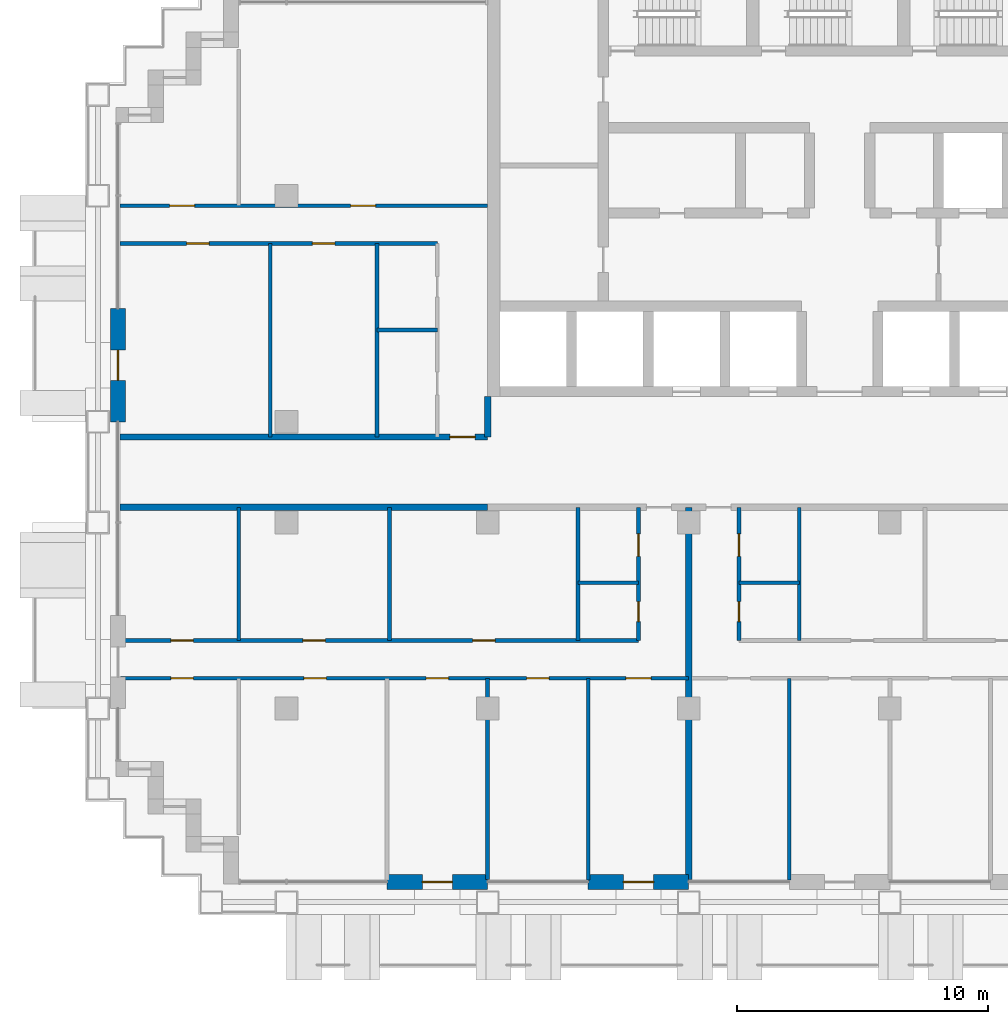
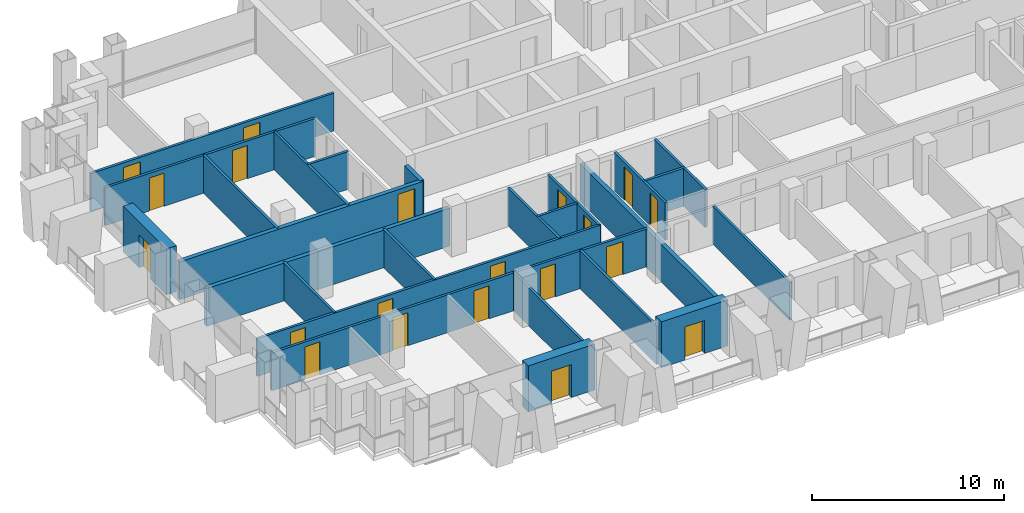
# One storey, part 9 of 19: 25 walls, 20 doors, 20 openings.
"""IFC4 building model written with IfcOpenShell, lengths in metres."""

from ifc_helpers import new_model, si_unit, direction, frame, frame_2d, origin, place, context, subcontext, project, spatial, rectangle, extrude, material, layer, layer_set, type_object, element, fill, save


model = new_model("IFC4")

# Units and contexts
model_context = context("Model", 3, precision=1e-05, world=origin(), true_north=direction((0.0, 1.0)))
body_context = subcontext(model_context, "Body", "Model", "MODEL_VIEW")
ifc_project = project(units=[si_unit("LENGTHUNIT", "METRE"), si_unit("AREAUNIT", "SQUARE_METRE"), si_unit("VOLUMEUNIT", "CUBIC_METRE"), si_unit("PLANEANGLEUNIT", "RADIAN"), si_unit("MASSUNIT", "GRAM", prefix="KILO")], contexts=[model_context])

# Site, building, storey
site_placement = place(None, origin())
site = spatial("IfcSite", under=ifc_project, at=site_placement, CompositionType="ELEMENT")
building_placement = place(site_placement, origin())
building = spatial("IfcBuilding", under=site, at=building_placement, Name="Vidyagriha Tower", CompositionType="ELEMENT")
storey_placement = place(building_placement, frame((0.0, 0.0, 99.89990234375)))
storey = spatial("IfcBuildingStorey", under=building, at=storey_placement, Name="L26", CompositionType="ELEMENT", Elevation=99.89990234375)

# Wall, opening, door
ifc_material_1 = material(Name="Precast concrete C40/50 with brick facing", Category="concrete")
ifc_layer_1 = layer(ifc_material_1, 0.60009765625)
ifc_layer_set_1 = layer_set([ifc_layer_1], Name="Precast concrete C40/50 with brick facing")
wall_type_1 = type_object("IfcWallType", Name="Brick-faced precast wall 600", PredefinedType="STANDARD", material=ifc_layer_set_1)
wall_1_placement = place(storey_placement, frame((-28.699951171875, 6.5, 0.0), z_axis=(0.0, 0.0, 1.0), x_axis=(0.0, -1.0, 0.0)))
wall_1 = element("IfcWall", 1, at=wall_1_placement, inside=storey, type_object=wall_type_1, Name="Brick door bay wall L26 R16.3", PredefinedType="STANDARD", context=body_context, shape_type="SweptSolid", body=[
    extrude(rectangle(XDim=4.5, YDim=0.60009765625, at=frame_2d((2.25, 0.0))), origin(), (0.0, 0.0, 1.0), 2.920166015625),
])
opening_1_placement = place(wall_1_placement, frame((1.64990234375, 0.0, 0.0)))
opening_1 = element("IfcOpeningElement", 2, at=opening_1_placement, cuts=wall_1, Name="Opening D26-68", PredefinedType="OPENING", context=body_context, shape_type="SweptSolid", body=[
    extrude(rectangle(XDim=1.199951171875, YDim=2.10009765625, at=frame_2d((0.60009765625, 1.050048828125))), frame((0.0, 0.31005859375, 0.0), z_axis=(0.0, -1.0, 0.0), x_axis=(1.0, 0.0, 0.0)), (0.0, 0.0, 1.0), 0.6201171875),
])
ifc_material_2 = material(Name="Aluminium framed glazed sliding door", Category="aluminium")
door_type_1 = type_object("IfcDoorType", Name="Balcony sliding door 1200x2100", OperationType="NOTDEFINED", PredefinedType="DOOR", material=ifc_material_2)
door_1_placement = place(opening_1_placement, origin())
door_1 = element("IfcDoor", 3, at=door_1_placement, inside=storey, type_object=door_type_1, Name="Door D26-68", OperationType="SLIDING_TO_LEFT", OverallHeight=2.10009765625, OverallWidth=1.199951171875, PredefinedType="DOOR", context=body_context, shape_type="SweptSolid", body=[
    extrude(rectangle(XDim=1.199951171875, YDim=2.10009765625, at=frame_2d((0.60009765625, 1.050048828125))), frame((0.0, 0.02490234375, 0.0), z_axis=(0.0, -1.0, 0.0), x_axis=(1.0, 0.0, 0.0)), (0.0, 0.0, 1.0), 0.050048828125),
])
fill(opening_1, door_1)

wall_2_placement = place(storey_placement, frame((-18.0, -16.300048828125, 0.0)))
wall_2 = element("IfcWall", 4, at=wall_2_placement, inside=storey, type_object=wall_type_1, Name="Brick door bay wall L26 R23.3", PredefinedType="STANDARD", context=body_context, shape_type="SweptSolid", body=[
    extrude(rectangle(XDim=4.0, YDim=0.60009765625, at=frame_2d((2.0, 0.0))), origin(), (0.0, 0.0, 1.0), 2.920166015625),
])
opening_2_placement = place(wall_2_placement, frame((1.39990234375, 0.0, 0.0)))
opening_2 = element("IfcOpeningElement", 5, at=opening_2_placement, cuts=wall_2, Name="Opening D26-70", PredefinedType="OPENING", context=body_context, shape_type="SweptSolid", body=[
    extrude(rectangle(XDim=1.199951171875, YDim=2.10009765625, at=frame_2d((0.60009765625, 1.050048828125))), frame((0.0, 0.31005859375, 0.0), z_axis=(0.0, -1.0, 0.0), x_axis=(1.0, 0.0, 0.0)), (0.0, 0.0, 1.0), 0.6201171875),
])
door_2_placement = place(opening_2_placement, origin())
door_2 = element("IfcDoor", 6, at=door_2_placement, inside=storey, type_object=door_type_1, Name="Door D26-70", OperationType="SLIDING_TO_LEFT", OverallHeight=2.10009765625, OverallWidth=1.199951171875, PredefinedType="DOOR", context=body_context, shape_type="SweptSolid", body=[
    extrude(rectangle(XDim=1.199951171875, YDim=2.10009765625, at=frame_2d((0.60009765625, 1.050048828125))), frame((0.0, 0.02490234375, 0.0), z_axis=(0.0, -1.0, 0.0), x_axis=(1.0, 0.0, 0.0)), (0.0, 0.0, 1.0), 0.050048828125),
])
fill(opening_2, door_2)

wall_3_placement = place(storey_placement, frame((-10.0, -16.300048828125, 0.0)))
wall_3 = element("IfcWall", 7, at=wall_3_placement, inside=storey, type_object=wall_type_1, Name="Brick door bay wall L26 R23.5", PredefinedType="STANDARD", context=body_context, shape_type="SweptSolid", body=[
    extrude(rectangle(XDim=4.0, YDim=0.60009765625, at=frame_2d((2.0, 0.0))), origin(), (0.0, 0.0, 1.0), 2.920166015625),
])
opening_3_placement = place(wall_3_placement, frame((1.39990234375, 0.0, 0.0)))
opening_3 = element("IfcOpeningElement", 8, at=opening_3_placement, cuts=wall_3, Name="Opening D26-71", PredefinedType="OPENING", context=body_context, shape_type="SweptSolid", body=[
    extrude(rectangle(XDim=1.199951171875, YDim=2.10009765625, at=frame_2d((0.60009765625, 1.050048828125))), frame((0.0, 0.31005859375, 0.0), z_axis=(0.0, -1.0, 0.0), x_axis=(1.0, 0.0, 0.0)), (0.0, 0.0, 1.0), 0.6201171875),
])
door_3_placement = place(opening_3_placement, origin())
door_3 = element("IfcDoor", 9, at=door_3_placement, inside=storey, type_object=door_type_1, Name="Door D26-71", OperationType="SLIDING_TO_LEFT", OverallHeight=2.10009765625, OverallWidth=1.199951171875, PredefinedType="DOOR", context=body_context, shape_type="SweptSolid", body=[
    extrude(rectangle(XDim=1.199951171875, YDim=2.10009765625, at=frame_2d((0.60009765625, 1.050048828125))), frame((0.0, 0.02490234375, 0.0), z_axis=(0.0, -1.0, 0.0), x_axis=(1.0, 0.0, 0.0)), (0.0, 0.0, 1.0), 0.050048828125),
])
fill(opening_3, door_3)

# Wall
ifc_material_3 = material(Name="Fired clay brick masonry", Category="masonry")
ifc_layer_2 = layer(ifc_material_3, 0.25)
ifc_layer_set_2 = layer_set([ifc_layer_2], Name="Fired clay brick masonry")
wall_type_2 = type_object("IfcWallType", Name="Fired clay brick corridor wall 250", PredefinedType="PARTITIONING", material=ifc_layer_set_2)
wall_4_placement = place(storey_placement, frame((-14.0, -1.39990234375, 0.0), z_axis=(0.0, 0.0, 1.0), x_axis=(-1.0, 0.0, 0.0)))
element("IfcWall", 10, at=wall_4_placement, inside=storey, type_object=wall_type_2, Name="Wall all-L26-w067", PredefinedType="PARTITIONING", context=body_context, shape_type="SweptSolid", body=[
    extrude(rectangle(XDim=14.6201171875, YDim=0.25, at=frame_2d((7.31005859375, 0.0))), origin(), (0.0, 0.0, 1.0), 2.400146484375),
])

# Wall, opening, door
wall_5_placement = place(storey_placement, frame((-28.6201171875, 1.39990234375, 0.0)))
wall_5 = element("IfcWall", 11, at=wall_5_placement, inside=storey, type_object=wall_type_2, Name="Wall all-L26-w084", PredefinedType="PARTITIONING", context=body_context, shape_type="SweptSolid", body=[
    extrude(rectangle(XDim=14.6201171875, YDim=0.25, at=frame_2d((7.31005859375, 0.0))), origin(), (0.0, 0.0, 1.0), 2.400146484375),
])
opening_4_placement = place(wall_5_placement, frame((13.1201171875, 0.0, 0.0)))
opening_4 = element("IfcOpeningElement", 12, at=opening_4_placement, cuts=wall_5, Name="Opening D26-52", PredefinedType="OPENING", context=body_context, shape_type="SweptSolid", body=[
    extrude(rectangle(XDim=1.0, YDim=2.10009765625, at=frame_2d((0.5, 1.050048828125))), frame((0.0, 0.135009765625, 0.0), z_axis=(0.0, -1.0, 0.0), x_axis=(1.0, 0.0, 0.0)), (0.0, 0.0, 1.0), 0.27001953125),
])
ifc_material_4 = material(Name="Fire-rated timber door leaf EI 60", Category="wood")
door_type_2 = type_object("IfcDoorType", Name="Flat entrance fire door 1000x2100", OperationType="NOTDEFINED", PredefinedType="DOOR", material=ifc_material_4)
door_4_placement = place(opening_4_placement, origin())
door_4 = element("IfcDoor", 13, at=door_4_placement, inside=storey, type_object=door_type_2, Name="Door D26-52", OperationType="SINGLE_SWING_RIGHT", OverallHeight=2.10009765625, OverallWidth=1.0, PredefinedType="DOOR", context=body_context, shape_type="SweptSolid", body=[
    extrude(rectangle(XDim=1.0, YDim=2.10009765625, at=frame_2d((0.5, 1.050048828125))), frame((0.0, 0.02490234375, 0.0), z_axis=(0.0, -1.0, 0.0), x_axis=(1.0, 0.0, 0.0)), (0.0, 0.0, 1.0), 0.050048828125),
])
fill(opening_4, door_4)

# Walls
wall_6_placement = place(storey_placement, frame((-14.0, 3.0, 0.0), z_axis=(0.0, 0.0, 1.0), x_axis=(0.0, -1.0, 0.0)))
element("IfcWall", 14, at=wall_6_placement, inside=storey, type_object=wall_type_2, Name="Wall all-L26-w119", PredefinedType="PARTITIONING", context=body_context, shape_type="SweptSolid", body=[
    extrude(rectangle(XDim=1.60009765625, YDim=0.25, at=frame_2d((0.800048828125, 0.0))), origin(), (0.0, 0.0, 1.0), 2.400146484375),
])
ifc_material_5 = material(Name="Fired clay brick masonry", Category="masonry")
ifc_layer_3 = layer(ifc_material_5, 0.25)
ifc_layer_set_3 = layer_set([ifc_layer_3], Name="Fired clay brick masonry")
wall_type_3 = type_object("IfcWallType", Name="Fired clay brick demising wall 250", PredefinedType="PARTITIONING", material=ifc_layer_set_3)
wall_7_placement = place(storey_placement, frame((-6.0, -1.39990234375, 0.0), z_axis=(0.0, 0.0, 1.0), x_axis=(0.0, -1.0, 0.0)))
element("IfcWall", 15, at=wall_7_placement, inside=storey, type_object=wall_type_3, Name="Wall all-L26-w045", PredefinedType="PARTITIONING", context=body_context, shape_type="SweptSolid", body=[
    extrude(rectangle(XDim=14.81005859375, YDim=0.25, at=frame_2d((7.405029296875, 0.0))), origin(), (0.0, 0.0, 1.0), 2.400146484375),
])
ifc_material_6 = material(Name="Gypsum board partition")
ifc_layer_4 = layer(ifc_material_6, 0.14990234375)
ifc_layer_set_4 = layer_set([ifc_layer_4], Name="Gypsum board partition")
wall_type_4 = type_object("IfcWallType", Name="Gypsum board partition 150", PredefinedType="PARTITIONING", material=ifc_layer_set_4)
wall_8_placement = place(storey_placement, frame((-8.0, -4.39990234375, 0.0), z_axis=(0.0, 0.0, 1.0), x_axis=(-1.0, 0.0, 0.0)))
element("IfcWall", 16, at=wall_8_placement, inside=storey, type_object=wall_type_4, Name="Wall all-L26-w004", PredefinedType="PARTITIONING", context=body_context, shape_type="SweptSolid", body=[
    extrude(rectangle(XDim=2.39990234375, YDim=0.14990234375, at=frame_2d((1.199951171875, 0.0))), origin(), (0.0, 0.0, 1.0), 2.400146484375),
])
for number, where, z_axis, x_axis, name in (
    (17, (-10.39990234375, -6.699951171875, 0.0), (0.0, 0.0, 1.0), (0.0, 1.0, 0.0), "Wall all-L26-w005"),
    (18, (-17.89990234375, -6.699951171875, 0.0), (0.0, 0.0, 1.0), (0.0, 1.0, 0.0), "Wall all-L26-w006"),
    (19, (-23.89990234375, -6.699951171875, 0.0), (0.0, 0.0, 1.0), (0.0, 1.0, 0.0), "Wall all-L26-w007"),
):
    element("IfcWall", number, at=place(storey_placement, frame(where, z_axis=z_axis, x_axis=x_axis)), inside=storey, type_object=wall_type_4, Name=name, PredefinedType="PARTITIONING", context=body_context, shape_type="SweptSolid", body=[
        extrude(rectangle(XDim=5.300048828125, YDim=0.14990234375, at=frame_2d((2.64990234375, 0.0))), origin(), (0.0, 0.0, 1.0), 2.400146484375),
    ])

# Wall, openings, doors
wall_9_placement = place(storey_placement, frame((-28.610107421875, -6.699951171875, 0.0)))
wall_9 = element("IfcWall", 20, at=wall_9_placement, inside=storey, type_object=wall_type_4, Name="Wall all-L26-w008", PredefinedType="PARTITIONING", context=body_context, shape_type="SweptSolid", body=[
    extrude(rectangle(XDim=20.610107421875, YDim=0.14990234375, at=frame_2d((10.30517578125, 0.0))), origin(), (0.0, 0.0, 1.0), 2.400146484375),
])
opening_5_placement = place(wall_9_placement, frame((14.010009765625, 0.0, 0.0)))
opening_5 = element("IfcOpeningElement", 21, at=opening_5_placement, cuts=wall_9, Name="Opening D26-16", PredefinedType="OPENING", context=body_context, shape_type="SweptSolid", body=[
    extrude(rectangle(XDim=0.89990234375, YDim=2.10009765625, at=frame_2d((0.449951171875, 1.050048828125))), frame((0.0, 0.0849609375, 0.0), z_axis=(0.0, -1.0, 0.0), x_axis=(1.0, 0.0, 0.0)), (0.0, 0.0, 1.0), 0.169921875),
])
opening_6_placement = place(wall_9_placement, frame((7.260009765625, 0.0, 0.0)))
opening_6 = element("IfcOpeningElement", 22, at=opening_6_placement, cuts=wall_9, Name="Opening D26-17", PredefinedType="OPENING", context=body_context, shape_type="SweptSolid", body=[
    extrude(rectangle(XDim=0.89990234375, YDim=2.10009765625, at=frame_2d((0.449951171875, 1.050048828125))), frame((0.0, 0.0849609375, 0.0), z_axis=(0.0, -1.0, 0.0), x_axis=(1.0, 0.0, 0.0)), (0.0, 0.0, 1.0), 0.169921875),
])
opening_7_placement = place(wall_9_placement, frame((2.010009765625, 0.0, 0.0)))
opening_7 = element("IfcOpeningElement", 23, at=opening_7_placement, cuts=wall_9, Name="Opening D26-18", PredefinedType="OPENING", context=body_context, shape_type="SweptSolid", body=[
    extrude(rectangle(XDim=0.89990234375, YDim=2.10009765625, at=frame_2d((0.449951171875, 1.050048828125))), frame((0.0, 0.0849609375, 0.0), z_axis=(0.0, -1.0, 0.0), x_axis=(1.0, 0.0, 0.0)), (0.0, 0.0, 1.0), 0.169921875),
])
ifc_material_7 = material(Name="Timber door leaf", Category="wood")
door_type_3 = type_object("IfcDoorType", Name="Room door 900x2100", OperationType="NOTDEFINED", PredefinedType="DOOR", material=ifc_material_7)
door_5_placement = place(opening_5_placement, origin())
door_5 = element("IfcDoor", 24, at=door_5_placement, inside=storey, type_object=door_type_3, Name="Door D26-16", OperationType="SINGLE_SWING_LEFT", OverallHeight=2.10009765625, OverallWidth=0.89990234375, PredefinedType="DOOR", context=body_context, shape_type="SweptSolid", body=[
    extrude(rectangle(XDim=0.89990234375, YDim=2.10009765625, at=frame_2d((0.449951171875, 1.050048828125))), frame((0.0, 0.02490234375, 0.0), z_axis=(0.0, -1.0, 0.0), x_axis=(1.0, 0.0, 0.0)), (0.0, 0.0, 1.0), 0.050048828125),
])
fill(opening_5, door_5)
door_6_placement = place(opening_6_placement, origin())
door_6 = element("IfcDoor", 25, at=door_6_placement, inside=storey, type_object=door_type_3, Name="Door D26-17", OperationType="SINGLE_SWING_RIGHT", OverallHeight=2.10009765625, OverallWidth=0.89990234375, PredefinedType="DOOR", context=body_context, shape_type="SweptSolid", body=[
    extrude(rectangle(XDim=0.89990234375, YDim=2.10009765625, at=frame_2d((0.449951171875, 1.050048828125))), frame((0.0, 0.02490234375, 0.0), z_axis=(0.0, -1.0, 0.0), x_axis=(1.0, 0.0, 0.0)), (0.0, 0.0, 1.0), 0.050048828125),
])
fill(opening_6, door_6)
door_7_placement = place(opening_7_placement, origin())
door_7 = element("IfcDoor", 26, at=door_7_placement, inside=storey, type_object=door_type_3, Name="Door D26-18", OperationType="SINGLE_SWING_RIGHT", OverallHeight=2.10009765625, OverallWidth=0.89990234375, PredefinedType="DOOR", context=body_context, shape_type="SweptSolid", body=[
    extrude(rectangle(XDim=0.89990234375, YDim=2.10009765625, at=frame_2d((0.449951171875, 1.050048828125))), frame((0.0, 0.02490234375, 0.0), z_axis=(0.0, -1.0, 0.0), x_axis=(1.0, 0.0, 0.0)), (0.0, 0.0, 1.0), 0.050048828125),
])
fill(opening_7, door_7)

wall_10_placement = place(storey_placement, frame((-6.0, -8.199951171875, 0.0), z_axis=(0.0, 0.0, 1.0), x_axis=(-1.0, 0.0, 0.0)))
wall_10 = element("IfcWall", 27, at=wall_10_placement, inside=storey, type_object=wall_type_4, Name="Wall all-L26-w012", PredefinedType="PARTITIONING", context=body_context, shape_type="SweptSolid", body=[
    extrude(rectangle(XDim=22.610107421875, YDim=0.14990234375, at=frame_2d((11.30517578125, 0.0))), origin(), (0.0, 0.0, 1.0), 2.400146484375),
])
opening_8_placement = place(wall_10_placement, frame((19.699951171875, 0.0, 0.0)))
opening_8 = element("IfcOpeningElement", 28, at=opening_8_placement, cuts=wall_10, Name="Opening D26-19", PredefinedType="OPENING", context=body_context, shape_type="SweptSolid", body=[
    extrude(rectangle(XDim=0.89990234375, YDim=2.10009765625, at=frame_2d((0.449951171875, 1.050048828125))), frame((0.0, 0.0849609375, 0.0), z_axis=(0.0, -1.0, 0.0), x_axis=(1.0, 0.0, 0.0)), (0.0, 0.0, 1.0), 0.169921875),
])
opening_9_placement = place(wall_10_placement, frame((14.410888671875, 0.0, 0.0)))
opening_9 = element("IfcOpeningElement", 29, at=opening_9_placement, cuts=wall_10, Name="Opening D26-20", PredefinedType="OPENING", context=body_context, shape_type="SweptSolid", body=[
    extrude(rectangle(XDim=0.89990234375, YDim=2.10009765625, at=frame_2d((0.449951171875, 1.050048828125))), frame((0.0, 0.0849609375, 0.0), z_axis=(0.0, -1.0, 0.0), x_axis=(1.0, 0.0, 0.0)), (0.0, 0.0, 1.0), 0.169921875),
])
opening_10_placement = place(wall_10_placement, frame((9.550048828125, 0.0, 0.0)))
opening_10 = element("IfcOpeningElement", 30, at=opening_10_placement, cuts=wall_10, Name="Opening D26-21", PredefinedType="OPENING", context=body_context, shape_type="SweptSolid", body=[
    extrude(rectangle(XDim=0.89990234375, YDim=2.10009765625, at=frame_2d((0.449951171875, 1.050048828125))), frame((0.0, 0.0849609375, 0.0), z_axis=(0.0, -1.0, 0.0), x_axis=(1.0, 0.0, 0.0)), (0.0, 0.0, 1.0), 0.169921875),
])
opening_11_placement = place(wall_10_placement, frame((5.550048828125, 0.0, 0.0)))
opening_11 = element("IfcOpeningElement", 31, at=opening_11_placement, cuts=wall_10, Name="Opening D26-22", PredefinedType="OPENING", context=body_context, shape_type="SweptSolid", body=[
    extrude(rectangle(XDim=0.89990234375, YDim=2.10009765625, at=frame_2d((0.449951171875, 1.050048828125))), frame((0.0, 0.0849609375, 0.0), z_axis=(0.0, -1.0, 0.0), x_axis=(1.0, 0.0, 0.0)), (0.0, 0.0, 1.0), 0.169921875),
])
opening_12_placement = place(wall_10_placement, frame((1.5, 0.0, 0.0)))
opening_12 = element("IfcOpeningElement", 32, at=opening_12_placement, cuts=wall_10, Name="Opening D26-23", PredefinedType="OPENING", context=body_context, shape_type="SweptSolid", body=[
    extrude(rectangle(XDim=1.0, YDim=2.10009765625, at=frame_2d((0.5, 1.050048828125))), frame((0.0, 0.0849609375, 0.0), z_axis=(0.0, -1.0, 0.0), x_axis=(1.0, 0.0, 0.0)), (0.0, 0.0, 1.0), 0.169921875),
])
ifc_material_8 = material(Name="Timber door leaf", Category="wood")
door_type_4 = type_object("IfcDoorType", Name="Room door 1000x2100", OperationType="NOTDEFINED", PredefinedType="DOOR", material=ifc_material_8)
door_8_placement = place(opening_12_placement, origin())
door_8 = element("IfcDoor", 33, at=door_8_placement, inside=storey, type_object=door_type_4, Name="Door D26-23", OperationType="SINGLE_SWING_RIGHT", OverallHeight=2.10009765625, OverallWidth=1.0, PredefinedType="DOOR", context=body_context, shape_type="SweptSolid", body=[
    extrude(rectangle(XDim=1.0, YDim=2.10009765625, at=frame_2d((0.5, 1.050048828125))), frame((0.0, 0.02490234375, 0.0), z_axis=(0.0, -1.0, 0.0), x_axis=(1.0, 0.0, 0.0)), (0.0, 0.0, 1.0), 0.050048828125),
])
fill(opening_12, door_8)
door_9_placement = place(opening_8_placement, origin())
door_9 = element("IfcDoor", 34, at=door_9_placement, inside=storey, type_object=door_type_3, Name="Door D26-19", OperationType="SINGLE_SWING_RIGHT", OverallHeight=2.10009765625, OverallWidth=0.89990234375, PredefinedType="DOOR", context=body_context, shape_type="SweptSolid", body=[
    extrude(rectangle(XDim=0.89990234375, YDim=2.10009765625, at=frame_2d((0.449951171875, 1.050048828125))), frame((0.0, 0.02490234375, 0.0), z_axis=(0.0, -1.0, 0.0), x_axis=(1.0, 0.0, 0.0)), (0.0, 0.0, 1.0), 0.050048828125),
])
fill(opening_8, door_9)
door_10_placement = place(opening_9_placement, origin())
door_10 = element("IfcDoor", 35, at=door_10_placement, inside=storey, type_object=door_type_3, Name="Door D26-20", OperationType="SINGLE_SWING_LEFT", OverallHeight=2.10009765625, OverallWidth=0.89990234375, PredefinedType="DOOR", context=body_context, shape_type="SweptSolid", body=[
    extrude(rectangle(XDim=0.89990234375, YDim=2.10009765625, at=frame_2d((0.449951171875, 1.050048828125))), frame((0.0, 0.02490234375, 0.0), z_axis=(0.0, -1.0, 0.0), x_axis=(1.0, 0.0, 0.0)), (0.0, 0.0, 1.0), 0.050048828125),
])
fill(opening_9, door_10)
door_11_placement = place(opening_10_placement, origin())
door_11 = element("IfcDoor", 36, at=door_11_placement, inside=storey, type_object=door_type_3, Name="Door D26-21", OperationType="SINGLE_SWING_RIGHT", OverallHeight=2.10009765625, OverallWidth=0.89990234375, PredefinedType="DOOR", context=body_context, shape_type="SweptSolid", body=[
    extrude(rectangle(XDim=0.89990234375, YDim=2.10009765625, at=frame_2d((0.449951171875, 1.050048828125))), frame((0.0, 0.02490234375, 0.0), z_axis=(0.0, -1.0, 0.0), x_axis=(1.0, 0.0, 0.0)), (0.0, 0.0, 1.0), 0.050048828125),
])
fill(opening_10, door_11)
door_12_placement = place(opening_11_placement, origin())
door_12 = element("IfcDoor", 37, at=door_12_placement, inside=storey, type_object=door_type_3, Name="Door D26-22", OperationType="SINGLE_SWING_RIGHT", OverallHeight=2.10009765625, OverallWidth=0.89990234375, PredefinedType="DOOR", context=body_context, shape_type="SweptSolid", body=[
    extrude(rectangle(XDim=0.89990234375, YDim=2.10009765625, at=frame_2d((0.449951171875, 1.050048828125))), frame((0.0, 0.02490234375, 0.0), z_axis=(0.0, -1.0, 0.0), x_axis=(1.0, 0.0, 0.0)), (0.0, 0.0, 1.0), 0.050048828125),
])
fill(opening_11, door_12)

# Walls
wall_11_placement = place(storey_placement, frame((-14.0, -8.199951171875, 0.0), z_axis=(0.0, 0.0, 1.0), x_axis=(0.0, -1.0, 0.0)))
element("IfcWall", 38, at=wall_11_placement, inside=storey, type_object=wall_type_4, Name="Wall all-L26-w020", PredefinedType="PARTITIONING", context=body_context, shape_type="SweptSolid", body=[
    extrude(rectangle(XDim=8.010009765625, YDim=0.14990234375, at=frame_2d((4.0048828125, 0.0))), origin(), (0.0, 0.0, 1.0), 2.400146484375),
])
wall_12_placement = place(storey_placement, frame((-10.0, -8.199951171875, 0.0), z_axis=(0.0, 0.0, 1.0), x_axis=(0.0, -1.0, 0.0)))
element("IfcWall", 39, at=wall_12_placement, inside=storey, type_object=wall_type_4, Name="Wall all-L26-w021", PredefinedType="PARTITIONING", context=body_context, shape_type="SweptSolid", body=[
    extrude(rectangle(XDim=8.02099609375, YDim=0.14990234375, at=frame_2d((4.010498046875, 0.0))), origin(), (0.0, 0.0, 1.0), 2.400146484375),
])
wall_13_placement = place(storey_placement, frame((-1.60009765625, -4.39990234375, 0.0), z_axis=(0.0, 0.0, 1.0), x_axis=(-1.0, 0.0, 0.0)))
element("IfcWall", 40, at=wall_13_placement, inside=storey, type_object=wall_type_4, Name="Wall all-L26-w026", PredefinedType="PARTITIONING", context=body_context, shape_type="SweptSolid", body=[
    extrude(rectangle(XDim=2.39990234375, YDim=0.14990234375, at=frame_2d((1.199951171875, 0.0))), origin(), (0.0, 0.0, 1.0), 2.400146484375),
])
wall_14_placement = place(storey_placement, frame((-1.60009765625, -1.39990234375, 0.0), z_axis=(0.0, 0.0, 1.0), x_axis=(0.0, -1.0, 0.0)))
element("IfcWall", 41, at=wall_14_placement, inside=storey, type_object=wall_type_4, Name="Wall all-L26-w027", PredefinedType="PARTITIONING", context=body_context, shape_type="SweptSolid", body=[
    extrude(rectangle(XDim=5.300048828125, YDim=0.14990234375, at=frame_2d((2.64990234375, 0.0))), origin(), (0.0, 0.0, 1.0), 2.400146484375),
])
wall_15_placement = place(storey_placement, frame((-2.0, -8.199951171875, 0.0), z_axis=(0.0, 0.0, 1.0), x_axis=(0.0, -1.0, 0.0)))
element("IfcWall", 42, at=wall_15_placement, inside=storey, type_object=wall_type_4, Name="Wall all-L26-w040", PredefinedType="PARTITIONING", context=body_context, shape_type="SweptSolid", body=[
    extrude(rectangle(XDim=8.02099609375, YDim=0.14990234375, at=frame_2d((4.010498046875, 0.0))), origin(), (0.0, 0.0, 1.0), 2.400146484375),
])
wall_16_placement = place(storey_placement, frame((-18.39990234375, 5.64990234375, 0.0)))
element("IfcWall", 43, at=wall_16_placement, inside=storey, type_object=wall_type_4, Name="Wall all-L26-w073", PredefinedType="PARTITIONING", context=body_context, shape_type="SweptSolid", body=[
    extrude(rectangle(XDim=2.39990234375, YDim=0.14990234375, at=frame_2d((1.199951171875, 0.0))), origin(), (0.0, 0.0, 1.0), 2.400146484375),
])
for number, where, z_axis, x_axis, name in (
    (44, (-18.39990234375, 1.39990234375, 0.0), (0.0, 0.0, 1.0), (0.0, 1.0, 0.0), "Wall all-L26-w074"),
    (45, (-22.64990234375, 1.39990234375, 0.0), (0.0, 0.0, 1.0), (0.0, 1.0, 0.0), "Wall all-L26-w075"),
):
    element("IfcWall", number, at=place(storey_placement, frame(where, z_axis=z_axis, x_axis=x_axis)), inside=storey, type_object=wall_type_4, Name=name, PredefinedType="PARTITIONING", context=body_context, shape_type="SweptSolid", body=[
        extrude(rectangle(XDim=7.7001953125, YDim=0.14990234375, at=frame_2d((3.85009765625, 0.0))), origin(), (0.0, 0.0, 1.0), 2.400146484375),
    ])

# Wall, openings, doors
wall_17_placement = place(storey_placement, frame((-16.0, 9.10009765625, 0.0), z_axis=(0.0, 0.0, 1.0), x_axis=(-1.0, 0.0, 0.0)))
wall_17 = element("IfcWall", 46, at=wall_17_placement, inside=storey, type_object=wall_type_4, Name="Wall all-L26-w076", PredefinedType="PARTITIONING", context=body_context, shape_type="SweptSolid", body=[
    extrude(rectangle(XDim=12.6201171875, YDim=0.14990234375, at=frame_2d((6.31005859375, 0.0))), origin(), (0.0, 0.0, 1.0), 2.400146484375),
])
opening_13_placement = place(wall_17_placement, frame((4.074951171875, 0.0, 0.0)))
opening_13 = element("IfcOpeningElement", 47, at=opening_13_placement, cuts=wall_17, Name="Opening D26-48", PredefinedType="OPENING", context=body_context, shape_type="SweptSolid", body=[
    extrude(rectangle(XDim=0.89990234375, YDim=2.10009765625, at=frame_2d((0.449951171875, 1.050048828125))), frame((0.0, 0.0849609375, 0.0), z_axis=(0.0, -1.0, 0.0), x_axis=(1.0, 0.0, 0.0)), (0.0, 0.0, 1.0), 0.169921875),
])
opening_14_placement = place(wall_17_placement, frame((9.074951171875, 0.0, 0.0)))
opening_14 = element("IfcOpeningElement", 48, at=opening_14_placement, cuts=wall_17, Name="Opening D26-49", PredefinedType="OPENING", context=body_context, shape_type="SweptSolid", body=[
    extrude(rectangle(XDim=0.89990234375, YDim=2.10009765625, at=frame_2d((0.449951171875, 1.050048828125))), frame((0.0, 0.0849609375, 0.0), z_axis=(0.0, -1.0, 0.0), x_axis=(1.0, 0.0, 0.0)), (0.0, 0.0, 1.0), 0.169921875),
])
door_13_placement = place(opening_13_placement, origin())
door_13 = element("IfcDoor", 49, at=door_13_placement, inside=storey, type_object=door_type_3, Name="Door D26-48", OperationType="SINGLE_SWING_RIGHT", OverallHeight=2.10009765625, OverallWidth=0.89990234375, PredefinedType="DOOR", context=body_context, shape_type="SweptSolid", body=[
    extrude(rectangle(XDim=0.89990234375, YDim=2.10009765625, at=frame_2d((0.449951171875, 1.050048828125))), frame((0.0, 0.02490234375, 0.0), z_axis=(0.0, -1.0, 0.0), x_axis=(1.0, 0.0, 0.0)), (0.0, 0.0, 1.0), 0.050048828125),
])
fill(opening_13, door_13)
door_14_placement = place(opening_14_placement, origin())
door_14 = element("IfcDoor", 50, at=door_14_placement, inside=storey, type_object=door_type_3, Name="Door D26-49", OperationType="SINGLE_SWING_RIGHT", OverallHeight=2.10009765625, OverallWidth=0.89990234375, PredefinedType="DOOR", context=body_context, shape_type="SweptSolid", body=[
    extrude(rectangle(XDim=0.89990234375, YDim=2.10009765625, at=frame_2d((0.449951171875, 1.050048828125))), frame((0.0, 0.02490234375, 0.0), z_axis=(0.0, -1.0, 0.0), x_axis=(1.0, 0.0, 0.0)), (0.0, 0.0, 1.0), 0.050048828125),
])
fill(opening_14, door_14)

wall_18_placement = place(storey_placement, frame((-28.6201171875, 10.60009765625, 0.0)))
wall_18 = element("IfcWall", 51, at=wall_18_placement, inside=storey, type_object=wall_type_4, Name="Wall all-L26-w079", PredefinedType="PARTITIONING", context=body_context, shape_type="SweptSolid", body=[
    extrude(rectangle(XDim=14.6201171875, YDim=0.14990234375, at=frame_2d((7.31005859375, 0.0))), origin(), (0.0, 0.0, 1.0), 2.400146484375),
])
opening_15_placement = place(wall_18_placement, frame((1.969970703125, 0.0, 0.0)))
opening_15 = element("IfcOpeningElement", 52, at=opening_15_placement, cuts=wall_18, Name="Opening D26-50", PredefinedType="OPENING", context=body_context, shape_type="SweptSolid", body=[
    extrude(rectangle(XDim=1.0, YDim=2.10009765625, at=frame_2d((0.5, 1.050048828125))), frame((0.0, 0.0849609375, 0.0), z_axis=(0.0, -1.0, 0.0), x_axis=(1.0, 0.0, 0.0)), (0.0, 0.0, 1.0), 0.169921875),
])
opening_16_placement = place(wall_18_placement, frame((9.169921875, 0.0, 0.0)))
opening_16 = element("IfcOpeningElement", 53, at=opening_16_placement, cuts=wall_18, Name="Opening D26-51", PredefinedType="OPENING", context=body_context, shape_type="SweptSolid", body=[
    extrude(rectangle(XDim=1.0, YDim=2.10009765625, at=frame_2d((0.5, 1.050048828125))), frame((0.0, 0.0849609375, 0.0), z_axis=(0.0, -1.0, 0.0), x_axis=(1.0, 0.0, 0.0)), (0.0, 0.0, 1.0), 0.169921875),
])
door_15_placement = place(opening_15_placement, origin())
door_15 = element("IfcDoor", 54, at=door_15_placement, inside=storey, type_object=door_type_4, Name="Door D26-50", OperationType="SINGLE_SWING_RIGHT", OverallHeight=2.10009765625, OverallWidth=1.0, PredefinedType="DOOR", context=body_context, shape_type="SweptSolid", body=[
    extrude(rectangle(XDim=1.0, YDim=2.10009765625, at=frame_2d((0.5, 1.050048828125))), frame((0.0, 0.02490234375, 0.0), z_axis=(0.0, -1.0, 0.0), x_axis=(1.0, 0.0, 0.0)), (0.0, 0.0, 1.0), 0.050048828125),
])
fill(opening_15, door_15)
door_16_placement = place(opening_16_placement, origin())
door_16 = element("IfcDoor", 55, at=door_16_placement, inside=storey, type_object=door_type_4, Name="Door D26-51", OperationType="SINGLE_SWING_RIGHT", OverallHeight=2.10009765625, OverallWidth=1.0, PredefinedType="DOOR", context=body_context, shape_type="SweptSolid", body=[
    extrude(rectangle(XDim=1.0, YDim=2.10009765625, at=frame_2d((0.5, 1.050048828125))), frame((0.0, 0.02490234375, 0.0), z_axis=(0.0, -1.0, 0.0), x_axis=(1.0, 0.0, 0.0)), (0.0, 0.0, 1.0), 0.050048828125),
])
fill(opening_16, door_16)

ifc_material_9 = material(Name="Moisture resistant gypsum board partition")
ifc_layer_5 = layer(ifc_material_9, 0.14990234375)
ifc_layer_set_5 = layer_set([ifc_layer_5], Name="Moisture resistant gypsum board partition")
wall_type_5 = type_object("IfcWallType", Name="Gypsum board wet-area partition 150", PredefinedType="PARTITIONING", material=ifc_layer_set_5)
wall_19_placement = place(storey_placement, frame((-8.0, -6.699951171875, 0.0), z_axis=(0.0, 0.0, 1.0), x_axis=(0.0, 1.0, 0.0)))
wall_19 = element("IfcWall", 56, at=wall_19_placement, inside=storey, type_object=wall_type_5, Name="Wall all-L26-w001", PredefinedType="PARTITIONING", context=body_context, shape_type="SweptSolid", body=[
    extrude(rectangle(XDim=5.300048828125, YDim=0.14990234375, at=frame_2d((2.64990234375, 0.0))), origin(), (0.0, 0.0, 1.0), 2.400146484375),
])
opening_17_placement = place(wall_19_placement, frame((3.35009765625, 0.0, 0.0)))
opening_17 = element("IfcOpeningElement", 57, at=opening_17_placement, cuts=wall_19, Name="Opening D26-14", PredefinedType="OPENING", context=body_context, shape_type="SweptSolid", body=[
    extrude(rectangle(XDim=0.89990234375, YDim=2.10009765625, at=frame_2d((0.449951171875, 1.050048828125))), frame((0.0, 0.0849609375, 0.0), z_axis=(0.0, -1.0, 0.0), x_axis=(1.0, 0.0, 0.0)), (0.0, 0.0, 1.0), 0.169921875),
])
opening_18_placement = place(wall_19_placement, frame((0.75, 0.0, 0.0)))
opening_18 = element("IfcOpeningElement", 58, at=opening_18_placement, cuts=wall_19, Name="Opening D26-15", PredefinedType="OPENING", context=body_context, shape_type="SweptSolid", body=[
    extrude(rectangle(XDim=0.800048828125, YDim=2.10009765625, at=frame_2d((0.39990234375, 1.050048828125))), frame((0.0, 0.0849609375, 0.0), z_axis=(0.0, -1.0, 0.0), x_axis=(1.0, 0.0, 0.0)), (0.0, 0.0, 1.0), 0.169921875),
])
ifc_material_10 = material(Name="Timber door leaf", Category="wood")
door_type_5 = type_object("IfcDoorType", Name="Bathroom door 800x2100", OperationType="NOTDEFINED", PredefinedType="DOOR", material=ifc_material_10)
door_17_placement = place(opening_18_placement, origin())
door_17 = element("IfcDoor", 59, at=door_17_placement, inside=storey, type_object=door_type_5, Name="Door D26-15", OperationType="SINGLE_SWING_RIGHT", OverallHeight=2.10009765625, OverallWidth=0.800048828125, PredefinedType="DOOR", context=body_context, shape_type="SweptSolid", body=[
    extrude(rectangle(XDim=0.800048828125, YDim=2.10009765625, at=frame_2d((0.39990234375, 1.050048828125))), frame((0.0, 0.02490234375, 0.0), z_axis=(0.0, -1.0, 0.0), x_axis=(1.0, 0.0, 0.0)), (0.0, 0.0, 1.0), 0.050048828125),
])
fill(opening_18, door_17)
ifc_material_11 = material(Name="Timber door leaf", Category="wood")
door_type_6 = type_object("IfcDoorType", Name="Kitchen door 900x2100", OperationType="NOTDEFINED", PredefinedType="DOOR", material=ifc_material_11)
door_18_placement = place(opening_17_placement, origin())
door_18 = element("IfcDoor", 60, at=door_18_placement, inside=storey, type_object=door_type_6, Name="Door D26-14", OperationType="SINGLE_SWING_RIGHT", OverallHeight=2.10009765625, OverallWidth=0.89990234375, PredefinedType="DOOR", context=body_context, shape_type="SweptSolid", body=[
    extrude(rectangle(XDim=0.89990234375, YDim=2.10009765625, at=frame_2d((0.449951171875, 1.050048828125))), frame((0.0, 0.02490234375, 0.0), z_axis=(0.0, -1.0, 0.0), x_axis=(1.0, 0.0, 0.0)), (0.0, 0.0, 1.0), 0.050048828125),
])
fill(opening_17, door_18)

wall_20_placement = place(storey_placement, frame((-4.0, -1.39990234375, 0.0), z_axis=(0.0, 0.0, 1.0), x_axis=(0.0, -1.0, 0.0)))
wall_20 = element("IfcWall", 61, at=wall_20_placement, inside=storey, type_object=wall_type_5, Name="Wall all-L26-w023", PredefinedType="PARTITIONING", context=body_context, shape_type="SweptSolid", body=[
    extrude(rectangle(XDim=5.300048828125, YDim=0.14990234375, at=frame_2d((2.64990234375, 0.0))), origin(), (0.0, 0.0, 1.0), 2.400146484375),
])
opening_19_placement = place(wall_20_placement, frame((1.050048828125, 0.0, 0.0)))
opening_19 = element("IfcOpeningElement", 62, at=opening_19_placement, cuts=wall_20, Name="Opening D26-25", PredefinedType="OPENING", context=body_context, shape_type="SweptSolid", body=[
    extrude(rectangle(XDim=0.89990234375, YDim=2.10009765625, at=frame_2d((0.449951171875, 1.050048828125))), frame((0.0, 0.0849609375, 0.0), z_axis=(0.0, -1.0, 0.0), x_axis=(1.0, 0.0, 0.0)), (0.0, 0.0, 1.0), 0.169921875),
])
opening_20_placement = place(wall_20_placement, frame((3.75, 0.0, 0.0)))
opening_20 = element("IfcOpeningElement", 63, at=opening_20_placement, cuts=wall_20, Name="Opening D26-26", PredefinedType="OPENING", context=body_context, shape_type="SweptSolid", body=[
    extrude(rectangle(XDim=0.800048828125, YDim=2.10009765625, at=frame_2d((0.39990234375, 1.050048828125))), frame((0.0, 0.0849609375, 0.0), z_axis=(0.0, -1.0, 0.0), x_axis=(1.0, 0.0, 0.0)), (0.0, 0.0, 1.0), 0.169921875),
])
door_19_placement = place(opening_20_placement, origin())
door_19 = element("IfcDoor", 64, at=door_19_placement, inside=storey, type_object=door_type_5, Name="Door D26-26", OperationType="SINGLE_SWING_RIGHT", OverallHeight=2.10009765625, OverallWidth=0.800048828125, PredefinedType="DOOR", context=body_context, shape_type="SweptSolid", body=[
    extrude(rectangle(XDim=0.800048828125, YDim=2.10009765625, at=frame_2d((0.39990234375, 1.050048828125))), frame((0.0, 0.02490234375, 0.0), z_axis=(0.0, -1.0, 0.0), x_axis=(1.0, 0.0, 0.0)), (0.0, 0.0, 1.0), 0.050048828125),
])
fill(opening_20, door_19)
door_20_placement = place(opening_19_placement, origin())
door_20 = element("IfcDoor", 65, at=door_20_placement, inside=storey, type_object=door_type_6, Name="Door D26-25", OperationType="SINGLE_SWING_LEFT", OverallHeight=2.10009765625, OverallWidth=0.89990234375, PredefinedType="DOOR", context=body_context, shape_type="SweptSolid", body=[
    extrude(rectangle(XDim=0.89990234375, YDim=2.10009765625, at=frame_2d((0.449951171875, 1.050048828125))), frame((0.0, 0.02490234375, 0.0), z_axis=(0.0, -1.0, 0.0), x_axis=(1.0, 0.0, 0.0)), (0.0, 0.0, 1.0), 0.050048828125),
])
fill(opening_19, door_20)

save(model, "model.ifc")
